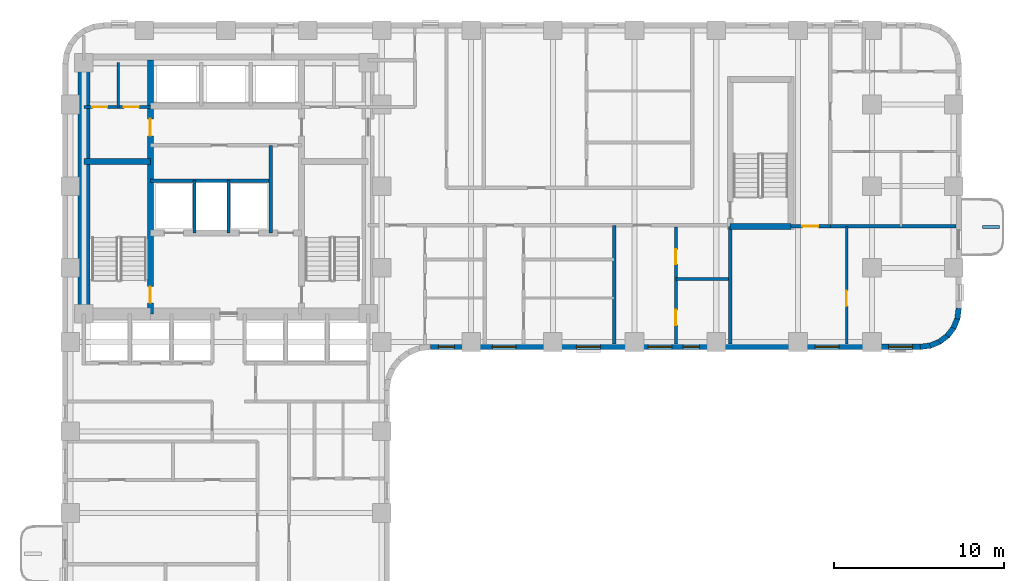
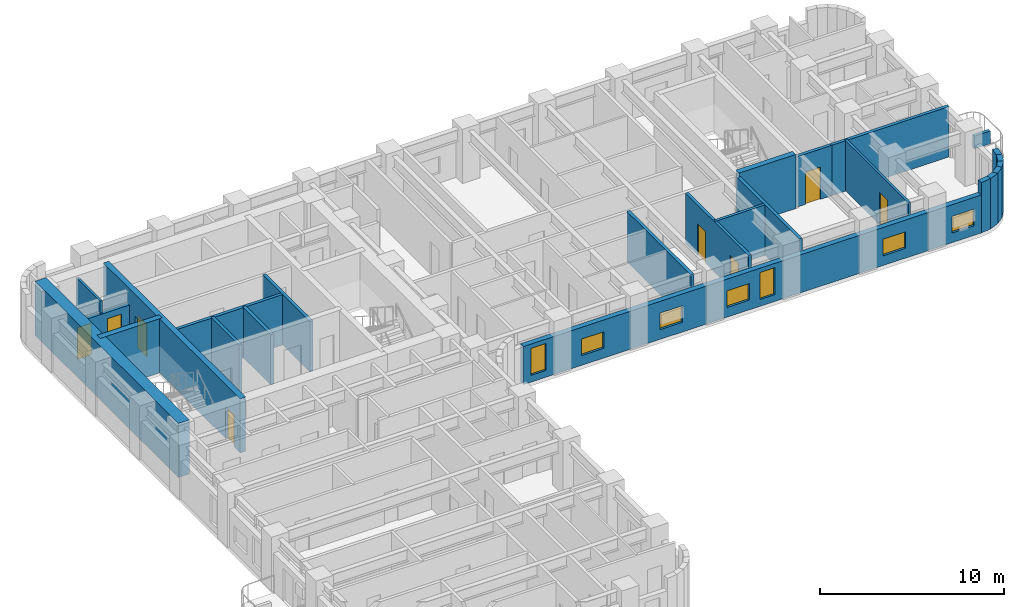
# One storey, part 5 of 11: 25 walls, 8 doors, 7 windows, 15 openings.
"""IFC4 building model written with IfcOpenShell, lengths in metres."""

from ifc_helpers import new_model, si_unit, direction, frame, frame_2d, origin, place, context, subcontext, project, spatial, rectangle, extrude, material, layer, layer_set, type_object, element, fill, save


model = new_model("IFC4")

# Units and contexts
model_context = context("Model", 3, precision=1e-05, world=origin(), true_north=direction((0.0, 1.0)))
body_context = subcontext(model_context, "Body", "Model", "MODEL_VIEW")
ifc_project = project(units=[si_unit("LENGTHUNIT", "METRE"), si_unit("AREAUNIT", "SQUARE_METRE"), si_unit("VOLUMEUNIT", "CUBIC_METRE"), si_unit("PLANEANGLEUNIT", "RADIAN"), si_unit("MASSUNIT", "GRAM", prefix="KILO")], contexts=[model_context])

# Site, building, storey
site_placement = place(None, origin())
site = spatial("IfcSite", under=ifc_project, at=site_placement, CompositionType="ELEMENT")
building_placement = place(site_placement, origin())
building = spatial("IfcBuilding", under=site, at=building_placement, Name="Orvandelia Arch Residences", CompositionType="ELEMENT")
storey_placement = place(building_placement, frame((0.0, 0.0, 46.60009765625)))
storey = spatial("IfcBuildingStorey", under=building, at=storey_placement, Name="L11", CompositionType="ELEMENT", Elevation=46.60009765625)

# Wall, openings, doors
ifc_material_1 = material(Name="Concrete C50/60", Category="concrete")
ifc_layer_1 = layer(ifc_material_1, 0.35009765625, Name="Concrete C50/60", Category="concrete")
ifc_layer_set_1 = layer_set([ifc_layer_1], Name="Concrete C50/60")
wall_type_1 = type_object("IfcWallType", Name="WL-CORE-350", PredefinedType="SHEAR", material=ifc_layer_set_1)
wall_1_placement = place(storey_placement, frame((9.9599609375, 30.89990234375, 0.0), z_axis=(0.0, 0.0, 1.0), x_axis=(0.0, 1.0, 0.0)))
wall_1 = element("IfcWall", 1, at=wall_1_placement, inside=storey, type_object=wall_type_1, Name="Core Shear Wall L11-WEB1", PredefinedType="SHEAR", context=body_context, shape_type="SweptSolid", body=[
    extrude(rectangle(XDim=14.900146484375, YDim=0.35009765625, at=frame_2d((7.4501953125, 0.0))), origin(), (0.0, 0.0, 1.0), 3.599853515625),
])
opening_1_placement = place(wall_1_placement, frame((0.64990234375, 0.0, 0.0)))
opening_1 = element("IfcOpeningElement", 2, at=opening_1_placement, cuts=wall_1, Name="Opening D7", PredefinedType="OPENING", context=body_context, shape_type="SweptSolid", body=[
    extrude(rectangle(XDim=0.949951171875, YDim=2.10009765625, at=frame_2d((0.47509765625, 1.050048828125))), frame((0.0, 0.18505859375, 0.0), z_axis=(0.0, -1.0, 0.0), x_axis=(1.0, 0.0, 0.0)), (0.0, 0.0, 1.0), 0.3701171875),
])
opening_2_placement = place(wall_1_placement, frame((10.449951171875, 0.0, 0.0)))
opening_2 = element("IfcOpeningElement", 3, at=opening_2_placement, cuts=wall_1, Name="Opening D6", PredefinedType="OPENING", context=body_context, shape_type="SweptSolid", body=[
    extrude(rectangle(XDim=1.0, YDim=2.14990234375, at=frame_2d((0.5, 1.074951171875))), frame((0.0, 0.18505859375, 0.0), z_axis=(0.0, -1.0, 0.0), x_axis=(1.0, 0.0, 0.0)), (0.0, 0.0, 1.0), 0.3701171875),
])
ifc_material_2 = material(Name="Smokeproof Painted Steel Fire Door", Category="steel")
door_type_1 = type_object("IfcDoorType", Name="DR-FD60-1000", OperationType="NOTDEFINED", PredefinedType="DOOR", material=ifc_material_2)
door_1_placement = place(opening_2_placement, origin())
door_1 = element("IfcDoor", 4, at=door_1_placement, inside=storey, type_object=door_type_1, Name="High-Rise Lift Hall West Vestibule Door L11", OperationType="SINGLE_SWING_LEFT", OverallHeight=2.14990234375, OverallWidth=1.0, PredefinedType="DOOR", context=body_context, shape_type="SweptSolid", body=[
    extrude(rectangle(XDim=1.0, YDim=2.14990234375, at=frame_2d((0.5, 1.074951171875))), frame((0.0, 0.02490234375, 0.0), z_axis=(0.0, -1.0, 0.0), x_axis=(1.0, 0.0, 0.0)), (0.0, 0.0, 1.0), 0.050048828125),
])
fill(opening_2, door_1)
ifc_material_3 = material(Name="Pressurised Stairwell Fire Door")
door_type_2 = type_object("IfcDoorType", Name="DR-STAIR-950", OperationType="NOTDEFINED", PredefinedType="DOOR", material=ifc_material_3)
door_2_placement = place(opening_1_placement, origin())
door_2 = element("IfcDoor", 5, at=door_2_placement, inside=storey, type_object=door_type_2, Name="Stairwell ST-1 Fire Door L11", OperationType="SINGLE_SWING_LEFT", OverallHeight=2.10009765625, OverallWidth=0.949951171875, PredefinedType="DOOR", context=body_context, shape_type="SweptSolid", body=[
    extrude(rectangle(XDim=0.949951171875, YDim=2.10009765625, at=frame_2d((0.47509765625, 1.050048828125))), frame((0.0, 0.02490234375, 0.0), z_axis=(0.0, -1.0, 0.0), x_axis=(1.0, 0.0, 0.0)), (0.0, 0.0, 1.0), 0.050048828125),
])
fill(opening_1, door_2)

# Walls
wall_2_placement = place(storey_placement, frame((6.050048828125, 39.85009765625, 0.0), z_axis=(0.0, 0.0, 1.0), x_axis=(1.0, 0.0, 0.0)))
element("IfcWall", 6, at=wall_2_placement, inside=storey, type_object=wall_type_1, Name="Core Shear Wall L11-HZ1", PredefinedType="SHEAR", context=body_context, shape_type="SweptSolid", body=[
    extrude(rectangle(XDim=3.909912109375, YDim=0.35009765625, at=frame_2d((1.955078125, 0.0))), origin(), (0.0, 0.0, 1.0), 3.599853515625),
])
wall_3_placement = place(storey_placement, frame((44.02001953125, 36.0400390625, 0.0), z_axis=(0.0, 0.0, 1.0), x_axis=(1.0, 0.0, 0.0)))
element("IfcWall", 7, at=wall_3_placement, inside=storey, type_object=wall_type_1, Name="East Stair Core Shear Wall L11-S", PredefinedType="SHEAR", context=body_context, shape_type="SweptSolid", body=[
    extrude(rectangle(XDim=3.580078125, YDim=0.35009765625, at=frame_2d((1.7900390625, 0.0))), origin(), (0.0, 0.0, 1.0), 3.599853515625),
])
ifc_material_4 = material(Name="Concrete C80/95", Category="concrete")
ifc_layer_2 = layer(ifc_material_4, 0.699951171875, Name="Concrete C80/95", Category="concrete")
ifc_layer_set_2 = layer_set([ifc_layer_2], Name="Concrete C80/95")
wall_type_2 = type_object("IfcWallType", Name="WL-CORE-700", PredefinedType="SHEAR", material=ifc_layer_set_2)
wall_4_placement = place(storey_placement, frame((6.050048828125, 30.550048828125, 0.0), z_axis=(0.0, 0.0, 1.0), x_axis=(0.0, 1.0, 0.0)))
element("IfcWall", 8, at=wall_4_placement, inside=storey, type_object=wall_type_2, Name="Core Shear Wall L11-W", PredefinedType="SHEAR", context=body_context, shape_type="SweptSolid", body=[
    extrude(rectangle(XDim=15.599853515625, YDim=0.699951171875, at=frame_2d((7.7998046875, 0.0))), origin(), (0.0, 0.0, 1.0), 3.599853515625),
])

# Wall, opening, door
ifc_material_5 = material(Name="Fire-Rated Corridor Partition")
ifc_layer_3 = layer(ifc_material_5, 0.199951171875, Name="Fire-Rated Corridor Partition")
ifc_layer_set_3 = layer_set([ifc_layer_3], Name="Fire-Rated Corridor Partition")
wall_type_3 = type_object("IfcWallType", Name="WL-CORR-200", PredefinedType="PARTITIONING", material=ifc_layer_set_3)
wall_5_placement = place(storey_placement, frame((47.60009765625, 36.0400390625, 0.0), z_axis=(0.0, 0.0, 1.0), x_axis=(1.0, 0.0, 0.0)))
wall_5 = element("IfcWall", 9, at=wall_5_placement, inside=storey, type_object=wall_type_3, Name="Interior Partition Wall WL-L11-ETE-S", PredefinedType="PARTITIONING", context=body_context, shape_type="SweptSolid", body=[
    extrude(rectangle(XDim=2.2998046875, YDim=0.199951171875, at=frame_2d((1.14990234375, 0.0))), origin(), (0.0, 0.0, 1.0), 3.349853515625),
])
opening_3_placement = place(wall_5_placement, frame((0.64990234375, 0.0, 0.0)))
opening_3 = element("IfcOpeningElement", 10, at=opening_3_placement, cuts=wall_5, Name="Opening D2", PredefinedType="OPENING", context=body_context, shape_type="SweptSolid", body=[
    extrude(rectangle(XDim=0.949951171875, YDim=2.14990234375, at=frame_2d((0.47509765625, 1.074951171875))), frame((0.0, 0.10986328125, 0.0), z_axis=(0.0, -1.0, 0.0), x_axis=(1.0, 0.0, 0.0)), (0.0, 0.0, 1.0), 0.219970703125),
])
ifc_material_6 = material(Name="Solid-Core Timber Interior Fire Door", Category="wood")
door_type_3 = type_object("IfcDoorType", Name="DR-APT-950", OperationType="NOTDEFINED", PredefinedType="DOOR", material=ifc_material_6)
door_3_placement = place(opening_3_placement, origin())
door_3 = element("IfcDoor", 11, at=door_3_placement, inside=storey, type_object=door_type_3, Name="DR-L11-EMS3", OperationType="SINGLE_SWING_LEFT", OverallHeight=2.14990234375, OverallWidth=0.949951171875, PredefinedType="DOOR", context=body_context, shape_type="SweptSolid", body=[
    extrude(rectangle(XDim=0.949951171875, YDim=2.14990234375, at=frame_2d((0.47509765625, 1.074951171875))), frame((0.0, 0.02490234375, 0.0), z_axis=(0.0, -1.0, 0.0), x_axis=(1.0, 0.0, 0.0)), (0.0, 0.0, 1.0), 0.050048828125),
])
fill(opening_3, door_3)

# Walls
ifc_material_7 = material(Name="Concrete C40/50", Category="concrete")
ifc_layer_4 = layer(ifc_material_7, 0.199951171875, Name="Concrete C40/50", Category="concrete")
ifc_layer_set_4 = layer_set([ifc_layer_4], Name="Concrete C40/50")
wall_type_4 = type_object("IfcWallType", Name="WL-DEM-200", PredefinedType="SOLIDWALL", material=ifc_layer_set_4)
wall_6_placement = place(storey_placement, frame((37.199951171875, 29.1201171875, 0.0), z_axis=(0.0, 0.0, 1.0), x_axis=(0.0, 1.0, 0.0)))
element("IfcWall", 12, at=wall_6_placement, inside=storey, type_object=wall_type_4, Name="Interior Partition Wall WL-L11-DEM-EMS-372", PredefinedType="SOLIDWALL", context=body_context, shape_type="SweptSolid", body=[
    extrude(rectangle(XDim=6.97998046875, YDim=0.199951171875, at=frame_2d((3.489990234375, 0.0))), origin(), (0.0, 0.0, 1.0), 3.349853515625),
])
wall_7_placement = place(storey_placement, frame((44.02001953125, 29.1201171875, 0.0), z_axis=(0.0, 0.0, 1.0), x_axis=(0.0, 1.0, 0.0)))
element("IfcWall", 13, at=wall_7_placement, inside=storey, type_object=wall_type_4, Name="Interior Partition Wall WL-L11-EMS3-W", PredefinedType="SOLIDWALL", context=body_context, shape_type="SweptSolid", body=[
    extrude(rectangle(XDim=6.919921875, YDim=0.199951171875, at=frame_2d((3.4599609375, 0.0))), origin(), (0.0, 0.0, 1.0), 3.349853515625),
])
wall_8_placement = place(storey_placement, frame((49.89990234375, 36.0400390625, 0.0), z_axis=(0.0, 0.0, 1.0), x_axis=(1.0, 0.0, 0.0)))
element("IfcWall", 14, at=wall_8_placement, inside=storey, type_object=wall_type_4, Name="Interior Partition Wall WL-L11-EMS3-N2", PredefinedType="SOLIDWALL", context=body_context, shape_type="SweptSolid", body=[
    extrude(rectangle(XDim=7.380126953125, YDim=0.199951171875, at=frame_2d((3.68994140625, 0.0))), origin(), (0.0, 0.0, 1.0), 3.349853515625),
])
ifc_material_8 = material(Name="Precast concrete C40/50", Category="concrete")
ifc_layer_5 = layer(ifc_material_8, 0.320068359375, Name="Precast concrete C40/50", Category="concrete")
ifc_layer_set_5 = layer_set([ifc_layer_5], Name="Precast concrete C40/50")
wall_type_5 = type_object("IfcWallType", Name="WL-EXT-STONE-320", PredefinedType="STANDARD", material=ifc_layer_set_5)
wall_9_placement = place(storey_placement, frame((57.44140625, 31.220947265625, 0.0), z_axis=(0.0, 0.0, 1.0), x_axis=(-0.130504898859, -0.991447664465, 0.0)))
element("IfcWall", 15, at=wall_9_placement, inside=storey, type_object=wall_type_5, Name="Coral-Limestone Precast Facade Wall L11-015", PredefinedType="STANDARD", context=body_context, shape_type="SweptSolid", body=[
    extrude(rectangle(XDim=0.626708984375, YDim=0.320068359375, at=frame_2d((0.3134765625, 0.0))), origin(), (0.0, 0.0, 1.0), 3.349853515625),
])
wall_10_placement = place(storey_placement, frame((57.370361328125, 30.639892578125, 0.0), z_axis=(0.0, 0.0, 1.0), x_axis=(-0.382787856107, -0.923836271867, 0.0)))
element("IfcWall", 16, at=wall_10_placement, inside=storey, type_object=wall_type_5, Name="Coral-Limestone Precast Facade Wall L11-016", PredefinedType="STANDARD", context=body_context, shape_type="SweptSolid", body=[
    extrude(rectangle(XDim=0.626220703125, YDim=0.320068359375, at=frame_2d((0.31298828125, 0.0))), origin(), (0.0, 0.0, 1.0), 3.349853515625),
])
wall_11_placement = place(storey_placement, frame((57.151611328125, 30.097412109375, 0.0), z_axis=(0.0, 0.0, 1.0), x_axis=(-0.608693302629, -0.793405610854, 0.0)))
element("IfcWall", 17, at=wall_11_placement, inside=storey, type_object=wall_type_5, Name="Coral-Limestone Precast Facade Wall L11-017", PredefinedType="STANDARD", context=body_context, shape_type="SweptSolid", body=[
    extrude(rectangle(XDim=0.62646484375, YDim=0.320068359375, at=frame_2d((0.313232421875, 0.0))), origin(), (0.0, 0.0, 1.0), 3.349853515625),
])
wall_12_placement = place(storey_placement, frame((56.7998046875, 29.6298828125, 0.0), z_axis=(0.0, 0.0, 1.0), x_axis=(-0.793361818833, -0.608750379399, 0.0)))
element("IfcWall", 18, at=wall_12_placement, inside=storey, type_object=wall_type_5, Name="Coral-Limestone Precast Facade Wall L11-018", PredefinedType="STANDARD", context=body_context, shape_type="SweptSolid", body=[
    extrude(rectangle(XDim=0.626953125, YDim=0.320068359375, at=frame_2d((0.3134765625, 0.0))), origin(), (0.0, 0.0, 1.0), 3.349853515625),
])
for number, where, z_axis, x_axis, name in (
    (19, (56.3388671875, 29.269287109375, 0.0), (0.0, 0.0, 1.0), (-0.92389335771, -0.382650053678, 0.0), "Coral-Limestone Precast Facade Wall L11-019"),
    (20, (55.80029296875, 29.040283203125, 0.0), (0.0, 0.0, 1.0), (-0.9914410257, -0.130555323746, 0.0), "Coral-Limestone Precast Facade Wall L11-020"),
):
    element("IfcWall", number, at=place(storey_placement, frame(where, z_axis=z_axis, x_axis=x_axis)), inside=storey, type_object=wall_type_5, Name=name, PredefinedType="STANDARD", context=body_context, shape_type="SweptSolid", body=[
        extrude(rectangle(XDim=0.62646484375, YDim=0.320068359375, at=frame_2d((0.313232421875, 0.0))), origin(), (0.0, 0.0, 1.0), 3.349853515625),
    ])

# Wall, openings, windows
wall_13_placement = place(storey_placement, frame((55.199951171875, 28.9599609375, 0.0), z_axis=(0.0, 0.0, 1.0), x_axis=(-1.0, 0.0, 0.0)))
wall_13 = element("IfcWall", 21, at=wall_13_placement, inside=storey, type_object=wall_type_5, Name="Coral-Limestone Precast Facade Wall L11-021", PredefinedType="STANDARD", context=body_context, shape_type="SweptSolid", body=[
    extrude(rectangle(XDim=28.800048828125, YDim=0.320068359375, at=frame_2d((14.39990234375, 0.0))), origin(), (0.0, 0.0, 1.0), 2.52978515625),
])
opening_4_placement = place(wall_13_placement, frame((27.3798828125, 0.0, 0.449951171875)))
opening_4 = element("IfcOpeningElement", 22, at=opening_4_placement, cuts=wall_13, Name="Opening W4", PredefinedType="OPENING", context=body_context, shape_type="SweptSolid", body=[
    extrude(rectangle(XDim=0.949951171875, YDim=1.800048828125, at=frame_2d((0.47509765625, 0.89990234375))), frame((0.0, 0.169921875, 0.0), z_axis=(0.0, -1.0, 0.0), x_axis=(1.0, 0.0, 0.0)), (0.0, 0.0, 1.0), 0.340087890625),
])
opening_5_placement = place(wall_13_placement, frame((18.81494140625, 0.0, 0.64990234375)))
opening_5 = element("IfcOpeningElement", 23, at=opening_5_placement, cuts=wall_13, Name="Opening W10", PredefinedType="OPENING", context=body_context, shape_type="SweptSolid", body=[
    extrude(rectangle(XDim=1.39990234375, YDim=1.10009765625, at=frame_2d((0.699951171875, 0.550048828125))), frame((0.0, 0.169921875, 0.0), z_axis=(0.0, -1.0, 0.0), x_axis=(1.0, 0.0, 0.0)), (0.0, 0.0, 1.0), 0.340087890625),
])
opening_6_placement = place(wall_13_placement, frame((14.60400390625, 0.0, 0.64990234375)))
opening_6 = element("IfcOpeningElement", 24, at=opening_6_placement, cuts=wall_13, Name="Opening W10", PredefinedType="OPENING", context=body_context, shape_type="SweptSolid", body=[
    extrude(rectangle(XDim=1.39990234375, YDim=1.10009765625, at=frame_2d((0.699951171875, 0.550048828125))), frame((0.0, 0.169921875, 0.0), z_axis=(0.0, -1.0, 0.0), x_axis=(1.0, 0.0, 0.0)), (0.0, 0.0, 1.0), 0.340087890625),
])
opening_7_placement = place(wall_13_placement, frame((4.7900390625, 0.0, 0.64990234375)))
opening_7 = element("IfcOpeningElement", 25, at=opening_7_placement, cuts=wall_13, Name="Opening W10", PredefinedType="OPENING", context=body_context, shape_type="SweptSolid", body=[
    extrude(rectangle(XDim=1.39990234375, YDim=1.10009765625, at=frame_2d((0.699951171875, 0.550048828125))), frame((0.0, 0.169921875, 0.0), z_axis=(0.0, -1.0, 0.0), x_axis=(1.0, 0.0, 0.0)), (0.0, 0.0, 1.0), 0.340087890625),
])
opening_8_placement = place(wall_13_placement, frame((0.469970703125, 0.0, 0.64990234375)))
opening_8 = element("IfcOpeningElement", 26, at=opening_8_placement, cuts=wall_13, Name="Opening W10", PredefinedType="OPENING", context=body_context, shape_type="SweptSolid", body=[
    extrude(rectangle(XDim=1.39990234375, YDim=1.10009765625, at=frame_2d((0.699951171875, 0.550048828125))), frame((0.0, 0.169921875, 0.0), z_axis=(0.0, -1.0, 0.0), x_axis=(1.0, 0.0, 0.0)), (0.0, 0.0, 1.0), 0.340087890625),
])
opening_9_placement = place(wall_13_placement, frame((23.760009765625, 0.0, 0.64990234375)))
opening_9 = element("IfcOpeningElement", 27, at=opening_9_placement, cuts=wall_13, Name="Opening W10", PredefinedType="OPENING", context=body_context, shape_type="SweptSolid", body=[
    extrude(rectangle(XDim=1.39990234375, YDim=1.10009765625, at=frame_2d((0.699951171875, 0.550048828125))), frame((0.0, 0.169921875, 0.0), z_axis=(0.0, -1.0, 0.0), x_axis=(1.0, 0.0, 0.0)), (0.0, 0.0, 1.0), 0.340087890625),
])
opening_10_placement = place(wall_13_placement, frame((12.9990234375, 0.0, 0.449951171875)))
opening_10 = element("IfcOpeningElement", 28, at=opening_10_placement, cuts=wall_13, Name="Opening W4", PredefinedType="OPENING", context=body_context, shape_type="SweptSolid", body=[
    extrude(rectangle(XDim=0.949951171875, YDim=1.800048828125, at=frame_2d((0.47509765625, 0.89990234375))), frame((0.0, 0.169921875, 0.0), z_axis=(0.0, -1.0, 0.0), x_axis=(1.0, 0.0, 0.0)), (0.0, 0.0, 1.0), 0.340087890625),
])
ifc_material_9 = material(Name="Tempered Low-E Insulated Glazing", Category="glass")
window_type_1 = type_object("IfcWindowType", Name="WIN-CLR-1400x1100", PartitioningType="SINGLE_PANEL", PredefinedType="WINDOW", material=ifc_material_9)
window_1_placement = place(opening_5_placement, origin())
window_1 = element("IfcWindow", 29, at=window_1_placement, inside=storey, type_object=window_type_1, Name="Recessed Punched Window L11-015", OverallHeight=1.10009765625, OverallWidth=1.39990234375, PartitioningType="SINGLE_PANEL", PredefinedType="WINDOW", context=body_context, shape_type="SweptSolid", body=[
    extrude(rectangle(XDim=1.39990234375, YDim=1.10009765625, at=frame_2d((0.699951171875, 0.550048828125))), frame((0.0, 0.030029296875, 0.0), z_axis=(0.0, -1.0, 0.0), x_axis=(1.0, 0.0, 0.0)), (0.0, 0.0, 1.0), 0.06005859375),
])
fill(opening_5, window_1)
window_2_placement = place(opening_6_placement, origin())
window_2 = element("IfcWindow", 30, at=window_2_placement, inside=storey, type_object=window_type_1, Name="Recessed Punched Window L11-016", OverallHeight=1.10009765625, OverallWidth=1.39990234375, PartitioningType="SINGLE_PANEL", PredefinedType="WINDOW", context=body_context, shape_type="SweptSolid", body=[
    extrude(rectangle(XDim=1.39990234375, YDim=1.10009765625, at=frame_2d((0.699951171875, 0.550048828125))), frame((0.0, 0.030029296875, 0.0), z_axis=(0.0, -1.0, 0.0), x_axis=(1.0, 0.0, 0.0)), (0.0, 0.0, 1.0), 0.06005859375),
])
fill(opening_6, window_2)
window_3_placement = place(opening_7_placement, origin())
window_3 = element("IfcWindow", 31, at=window_3_placement, inside=storey, type_object=window_type_1, Name="Recessed Punched Window L11-017", OverallHeight=1.10009765625, OverallWidth=1.39990234375, PartitioningType="SINGLE_PANEL", PredefinedType="WINDOW", context=body_context, shape_type="SweptSolid", body=[
    extrude(rectangle(XDim=1.39990234375, YDim=1.10009765625, at=frame_2d((0.699951171875, 0.550048828125))), frame((0.0, 0.030029296875, 0.0), z_axis=(0.0, -1.0, 0.0), x_axis=(1.0, 0.0, 0.0)), (0.0, 0.0, 1.0), 0.06005859375),
])
fill(opening_7, window_3)
window_4_placement = place(opening_8_placement, origin())
window_4 = element("IfcWindow", 32, at=window_4_placement, inside=storey, type_object=window_type_1, Name="Recessed Punched Window L11-018", OverallHeight=1.10009765625, OverallWidth=1.39990234375, PartitioningType="SINGLE_PANEL", PredefinedType="WINDOW", context=body_context, shape_type="SweptSolid", body=[
    extrude(rectangle(XDim=1.39990234375, YDim=1.10009765625, at=frame_2d((0.699951171875, 0.550048828125))), frame((0.0, 0.030029296875, 0.0), z_axis=(0.0, -1.0, 0.0), x_axis=(1.0, 0.0, 0.0)), (0.0, 0.0, 1.0), 0.06005859375),
])
fill(opening_8, window_4)
window_5_placement = place(opening_9_placement, origin())
window_5 = element("IfcWindow", 33, at=window_5_placement, inside=storey, type_object=window_type_1, Name="Recessed Punched Window L11-019", OverallHeight=1.10009765625, OverallWidth=1.39990234375, PartitioningType="SINGLE_PANEL", PredefinedType="WINDOW", context=body_context, shape_type="SweptSolid", body=[
    extrude(rectangle(XDim=1.39990234375, YDim=1.10009765625, at=frame_2d((0.699951171875, 0.550048828125))), frame((0.0, 0.030029296875, 0.0), z_axis=(0.0, -1.0, 0.0), x_axis=(1.0, 0.0, 0.0)), (0.0, 0.0, 1.0), 0.06005859375),
])
fill(opening_9, window_5)
window_type_2 = type_object("IfcWindowType", Name="WIN-RES-0950x1800", PartitioningType="SINGLE_PANEL", PredefinedType="WINDOW", material=ifc_material_9)
window_6_placement = place(opening_4_placement, origin())
window_6 = element("IfcWindow", 34, at=window_6_placement, inside=storey, type_object=window_type_2, Name="Recessed Punched Window L11-014", OverallHeight=1.800048828125, OverallWidth=0.949951171875, PartitioningType="SINGLE_PANEL", PredefinedType="WINDOW", context=body_context, shape_type="SweptSolid", body=[
    extrude(rectangle(XDim=0.949951171875, YDim=1.800048828125, at=frame_2d((0.47509765625, 0.89990234375))), frame((0.0, 0.030029296875, 0.0), z_axis=(0.0, -1.0, 0.0), x_axis=(1.0, 0.0, 0.0)), (0.0, 0.0, 1.0), 0.06005859375),
])
fill(opening_4, window_6)
window_7_placement = place(opening_10_placement, origin())
window_7 = element("IfcWindow", 35, at=window_7_placement, inside=storey, type_object=window_type_2, Name="Recessed Punched Window L11-020", OverallHeight=1.800048828125, OverallWidth=0.949951171875, PartitioningType="SINGLE_PANEL", PredefinedType="WINDOW", context=body_context, shape_type="SweptSolid", body=[
    extrude(rectangle(XDim=0.949951171875, YDim=1.800048828125, at=frame_2d((0.47509765625, 0.89990234375))), frame((0.0, 0.030029296875, 0.0), z_axis=(0.0, -1.0, 0.0), x_axis=(1.0, 0.0, 0.0)), (0.0, 0.0, 1.0), 0.06005859375),
])
fill(opening_10, window_7)

# Wall
ifc_material_10 = material(Name="Acoustic Gypsum Stud Partition")
ifc_layer_6 = layer(ifc_material_10, 0.14990234375, Name="Acoustic Gypsum Stud Partition")
ifc_layer_set_6 = layer_set([ifc_layer_6], Name="Acoustic Gypsum Stud Partition")
wall_type_6 = type_object("IfcWallType", Name="WL-PART-150", PredefinedType="PARTITIONING", material=ifc_layer_set_6)
wall_14_placement = place(storey_placement, frame((8.06005859375, 43.050048828125, 0.0), z_axis=(0.0, 0.0, 1.0), x_axis=(0.0, 1.0, 0.0)))
element("IfcWall", 36, at=wall_14_placement, inside=storey, type_object=wall_type_6, Name="Interior Partition Wall WL-L11-CRELC-M", PredefinedType="PARTITIONING", context=body_context, shape_type="SweptSolid", body=[
    extrude(rectangle(XDim=2.599853515625, YDim=0.14990234375, at=frame_2d((1.2998046875, 0.0))), origin(), (0.0, 0.0, 1.0), 3.349853515625),
])

# Wall, opening, door
wall_15_placement = place(storey_placement, frame((50.85009765625, 29.1201171875, 0.0), z_axis=(0.0, 0.0, 1.0), x_axis=(0.0, 1.0, 0.0)))
wall_15 = element("IfcWall", 37, at=wall_15_placement, inside=storey, type_object=wall_type_6, Name="Interior Partition Wall WL-L11-EMS3-M", PredefinedType="PARTITIONING", context=body_context, shape_type="SweptSolid", body=[
    extrude(rectangle(XDim=6.919921875, YDim=0.14990234375, at=frame_2d((3.4599609375, 0.0))), origin(), (0.0, 0.0, 1.0), 3.349853515625),
])
opening_11_placement = place(wall_15_placement, frame((2.239990234375, 0.0, 0.0)))
opening_11 = element("IfcOpeningElement", 38, at=opening_11_placement, cuts=wall_15, Name="Opening D3", PredefinedType="OPENING", context=body_context, shape_type="SweptSolid", body=[
    extrude(rectangle(XDim=0.89990234375, YDim=2.14990234375, at=frame_2d((0.449951171875, 1.074951171875))), frame((0.0, 0.0849609375, 0.0), z_axis=(0.0, -1.0, 0.0), x_axis=(1.0, 0.0, 0.0)), (0.0, 0.0, 1.0), 0.169921875),
])
ifc_material_11 = material(Name="Engineered Timber Flush Door", Category="wood")
door_type_4 = type_object("IfcDoorType", Name="DR-INT-900", OperationType="NOTDEFINED", PredefinedType="DOOR", material=ifc_material_11)
door_4_placement = place(opening_11_placement, origin())
door_4 = element("IfcDoor", 39, at=door_4_placement, inside=storey, type_object=door_type_4, Name="DR-L11-EMS3M", OperationType="SINGLE_SWING_RIGHT", OverallHeight=2.14990234375, OverallWidth=0.89990234375, PredefinedType="DOOR", context=body_context, shape_type="SweptSolid", body=[
    extrude(rectangle(XDim=0.89990234375, YDim=2.14990234375, at=frame_2d((0.449951171875, 1.074951171875))), frame((0.0, 0.02490234375, 0.0), z_axis=(0.0, -1.0, 0.0), x_axis=(1.0, 0.0, 0.0)), (0.0, 0.0, 1.0), 0.050048828125),
])
fill(opening_11, door_4)

# Walls
ifc_layer_7 = layer(ifc_material_8, 0.199951171875, Name="Precast concrete C40/50", Category="concrete")
ifc_layer_set_7 = layer_set([ifc_layer_7], Name="Precast concrete C40/50")
wall_type_7 = type_object("IfcWallType", Name="WL-PLANTER-200", PredefinedType="MOVABLE", material=ifc_layer_set_7)
wall_16_placement = place(storey_placement, frame((58.85009765625, 36.0, 0.0), z_axis=(0.0, 0.0, 1.0), x_axis=(1.0, 0.0, 0.0)))
element("IfcWall", 40, at=wall_16_placement, inside=storey, type_object=wall_type_7, Name="Balcony Precast Tree Planter BAL-L11-E1", PredefinedType="MOVABLE", context=body_context, shape_type="SweptSolid", body=[
    extrude(rectangle(XDim=1.0, YDim=0.199951171875, at=frame_2d((0.5, 0.0))), origin(), (0.0, 0.0, 1.0), 0.849853515625),
])
ifc_material_12 = material(Name="Fire-Rated Shaft Enclosure Wall")
ifc_layer_8 = layer(ifc_material_12, 0.199951171875, Name="Fire-Rated Shaft Enclosure Wall")
ifc_layer_set_8 = layer_set([ifc_layer_8], Name="Fire-Rated Shaft Enclosure Wall")
wall_type_8 = type_object("IfcWallType", Name="WL-SHAFT-200", PredefinedType="POLYGONAL", material=ifc_layer_set_8)
wall_17_placement = place(storey_placement, frame((9.9599609375, 38.719970703125, 0.0), z_axis=(0.0, 0.0, 1.0), x_axis=(1.0, 0.0, 0.0)))
element("IfcWall", 41, at=wall_17_placement, inside=storey, type_object=wall_type_8, Name="Interior Partition Wall WL-L11-FLN", PredefinedType="POLYGONAL", context=body_context, shape_type="SweptSolid", body=[
    extrude(rectangle(XDim=7.06005859375, YDim=0.199951171875, at=frame_2d((3.530029296875, 0.0))), origin(), (0.0, 0.0, 1.0), 3.349853515625),
])
for number, where, z_axis, x_axis, name in (
    (42, (12.550048828125, 35.64990234375, 0.0), (0.0, 0.0, 1.0), (0.0, 1.0, 0.0), "Interior Partition Wall WL-L11-FLM1"),
    (43, (14.550048828125, 35.64990234375, 0.0), (0.0, 0.0, 1.0), (0.0, 1.0, 0.0), "Interior Partition Wall WL-L11-FLM2"),
):
    element("IfcWall", number, at=place(storey_placement, frame(where, z_axis=z_axis, x_axis=x_axis)), inside=storey, type_object=wall_type_8, Name=name, PredefinedType="POLYGONAL", context=body_context, shape_type="SweptSolid", body=[
        extrude(rectangle(XDim=3.070068359375, YDim=0.199951171875, at=frame_2d((1.53515625, 0.0))), origin(), (0.0, 0.0, 1.0), 3.349853515625),
    ])
wall_18_placement = place(storey_placement, frame((17.02001953125, 35.64990234375, 0.0), z_axis=(0.0, 0.0, 1.0), x_axis=(0.0, 1.0, 0.0)))
element("IfcWall", 44, at=wall_18_placement, inside=storey, type_object=wall_type_8, Name="Interior Partition Wall WL-L11-FLM3", PredefinedType="POLYGONAL", context=body_context, shape_type="SweptSolid", body=[
    extrude(rectangle(XDim=5.150146484375, YDim=0.199951171875, at=frame_2d((2.5751953125, 0.0))), origin(), (0.0, 0.0, 1.0), 3.349853515625),
])

# Wall, openings, doors
wall_19_placement = place(storey_placement, frame((6.050048828125, 43.050048828125, 0.0), z_axis=(0.0, 0.0, 1.0), x_axis=(1.0, 0.0, 0.0)))
wall_19 = element("IfcWall", 45, at=wall_19_placement, inside=storey, type_object=wall_type_8, Name="Interior Partition Wall WL-L11-HLW-N", PredefinedType="POLYGONAL", context=body_context, shape_type="SweptSolid", body=[
    extrude(rectangle(XDim=3.909912109375, YDim=0.199951171875, at=frame_2d((1.955078125, 0.0))), origin(), (0.0, 0.0, 1.0), 2.52978515625),
])
opening_12_placement = place(wall_19_placement, frame((0.5, 0.0, 0.0)))
opening_12 = element("IfcOpeningElement", 46, at=opening_12_placement, cuts=wall_19, Name="Opening D5", PredefinedType="OPENING", context=body_context, shape_type="SweptSolid", body=[
    extrude(rectangle(XDim=0.8798828125, YDim=2.10009765625, at=frame_2d((0.43994140625, 1.050048828125))), frame((0.0, 0.10986328125, 0.0), z_axis=(0.0, -1.0, 0.0), x_axis=(1.0, 0.0, 0.0)), (0.0, 0.0, 1.0), 0.219970703125),
])
opening_13_placement = place(wall_19_placement, frame((2.35009765625, 0.0, 0.0)))
opening_13 = element("IfcOpeningElement", 47, at=opening_13_placement, cuts=wall_19, Name="Opening D5", PredefinedType="OPENING", context=body_context, shape_type="SweptSolid", body=[
    extrude(rectangle(XDim=0.8798828125, YDim=2.10009765625, at=frame_2d((0.43994140625, 1.050048828125))), frame((0.0, 0.10986328125, 0.0), z_axis=(0.0, -1.0, 0.0), x_axis=(1.0, 0.0, 0.0)), (0.0, 0.0, 1.0), 0.219970703125),
])
ifc_material_13 = material(Name="Painted Galvanised Steel Service Door", Category="steel")
door_type_5 = type_object("IfcDoorType", Name="DR-SRV-880", OperationType="NOTDEFINED", PredefinedType="DOOR", material=ifc_material_13)
door_5_placement = place(opening_12_placement, origin())
door_5 = element("IfcDoor", 48, at=door_5_placement, inside=storey, type_object=door_type_5, Name="DR-L11-CRELC1", OperationType="SINGLE_SWING_LEFT", OverallHeight=2.10009765625, OverallWidth=0.8798828125, PredefinedType="DOOR", context=body_context, shape_type="SweptSolid", body=[
    extrude(rectangle(XDim=0.8798828125, YDim=2.10009765625, at=frame_2d((0.43994140625, 1.050048828125))), frame((0.0, 0.02490234375, 0.0), z_axis=(0.0, -1.0, 0.0), x_axis=(1.0, 0.0, 0.0)), (0.0, 0.0, 1.0), 0.050048828125),
])
fill(opening_12, door_5)
door_6_placement = place(opening_13_placement, origin())
door_6 = element("IfcDoor", 49, at=door_6_placement, inside=storey, type_object=door_type_5, Name="DR-L11-CRELC2", OperationType="SINGLE_SWING_RIGHT", OverallHeight=2.10009765625, OverallWidth=0.8798828125, PredefinedType="DOOR", context=body_context, shape_type="SweptSolid", body=[
    extrude(rectangle(XDim=0.8798828125, YDim=2.10009765625, at=frame_2d((0.43994140625, 1.050048828125))), frame((0.0, 0.02490234375, 0.0), z_axis=(0.0, -1.0, 0.0), x_axis=(1.0, 0.0, 0.0)), (0.0, 0.0, 1.0), 0.050048828125),
])
fill(opening_13, door_6)

ifc_material_14 = material(Name="Moisture-Resistant Plumbing Wall")
ifc_layer_9 = layer(ifc_material_14, 0.179931640625, Name="Moisture-Resistant Plumbing Wall")
ifc_layer_set_9 = layer_set([ifc_layer_9], Name="Moisture-Resistant Plumbing Wall")
wall_type_9 = type_object("IfcWallType", Name="WL-WET-180", PredefinedType="PLUMBINGWALL", material=ifc_layer_set_9)
wall_20_placement = place(storey_placement, frame((40.822021484375, 29.1201171875, 0.0), z_axis=(0.0, 0.0, 1.0), x_axis=(0.0, 1.0, 0.0)))
wall_20 = element("IfcWall", 50, at=wall_20_placement, inside=storey, type_object=wall_type_9, Name="Interior Partition Wall WL-L11-U08-VT", PredefinedType="PLUMBINGWALL", context=body_context, shape_type="SweptSolid", body=[
    extrude(rectangle(XDim=6.8798828125, YDim=0.179931640625, at=frame_2d((3.43994140625, 0.0))), origin(), (0.0, 0.0, 1.0), 3.349853515625),
])
opening_14_placement = place(wall_20_placement, frame((1.1162109375, 0.0, 0.0)))
opening_14 = element("IfcOpeningElement", 51, at=opening_14_placement, cuts=wall_20, Name="Opening D3", PredefinedType="OPENING", context=body_context, shape_type="SweptSolid", body=[
    extrude(rectangle(XDim=0.89990234375, YDim=2.14990234375, at=frame_2d((0.449951171875, 1.074951171875))), frame((0.0, 0.10009765625, 0.0), z_axis=(0.0, -1.0, 0.0), x_axis=(1.0, 0.0, 0.0)), (0.0, 0.0, 1.0), 0.199951171875),
])
opening_15_placement = place(wall_20_placement, frame((4.705322265625, 0.0, 0.0)))
opening_15 = element("IfcOpeningElement", 52, at=opening_15_placement, cuts=wall_20, Name="Opening D4", PredefinedType="OPENING", context=body_context, shape_type="SweptSolid", body=[
    extrude(rectangle(XDim=0.860107421875, YDim=2.10009765625, at=frame_2d((0.43017578125, 1.050048828125))), frame((0.0, 0.10009765625, 0.0), z_axis=(0.0, -1.0, 0.0), x_axis=(1.0, 0.0, 0.0)), (0.0, 0.0, 1.0), 0.199951171875),
])
door_7_placement = place(opening_14_placement, origin())
door_7 = element("IfcDoor", 53, at=door_7_placement, inside=storey, type_object=door_type_4, Name="DR-L11-U08-KIT", OperationType="SINGLE_SWING_RIGHT", OverallHeight=2.14990234375, OverallWidth=0.89990234375, PredefinedType="DOOR", context=body_context, shape_type="SweptSolid", body=[
    extrude(rectangle(XDim=0.89990234375, YDim=2.14990234375, at=frame_2d((0.449951171875, 1.074951171875))), frame((0.0, 0.02490234375, 0.0), z_axis=(0.0, -1.0, 0.0), x_axis=(1.0, 0.0, 0.0)), (0.0, 0.0, 1.0), 0.050048828125),
])
fill(opening_14, door_7)
ifc_material_15 = material(Name="Moisture-Sealed Timber Bathroom Door", Category="wood")
door_type_6 = type_object("IfcDoorType", Name="DR-WET-900", OperationType="NOTDEFINED", PredefinedType="DOOR", material=ifc_material_15)
door_8_placement = place(opening_15_placement, origin())
door_8 = element("IfcDoor", 54, at=door_8_placement, inside=storey, type_object=door_type_6, Name="DR-L11-U08-BTH", OperationType="SINGLE_SWING_LEFT", OverallHeight=2.10009765625, OverallWidth=0.860107421875, PredefinedType="DOOR", context=body_context, shape_type="SweptSolid", body=[
    extrude(rectangle(XDim=0.860107421875, YDim=2.10009765625, at=frame_2d((0.43017578125, 1.050048828125))), frame((0.0, 0.02490234375, 0.0), z_axis=(0.0, -1.0, 0.0), x_axis=(1.0, 0.0, 0.0)), (0.0, 0.0, 1.0), 0.050048828125),
])
fill(opening_15, door_8)

# Wall
wall_21_placement = place(storey_placement, frame((40.822021484375, 32.946044921875, 0.0), z_axis=(0.0, 0.0, 1.0), x_axis=(1.0, 0.0, 0.0)))
element("IfcWall", 55, at=wall_21_placement, inside=storey, type_object=wall_type_9, Name="Interior Partition Wall WL-L11-U08-H1", PredefinedType="PLUMBINGWALL", context=body_context, shape_type="SweptSolid", body=[
    extrude(rectangle(XDim=3.097900390625, YDim=0.179931640625, at=frame_2d((1.548828125, 0.0))), origin(), (0.0, 0.0, 1.0), 3.349853515625),
])

save(model, "model.ifc")
